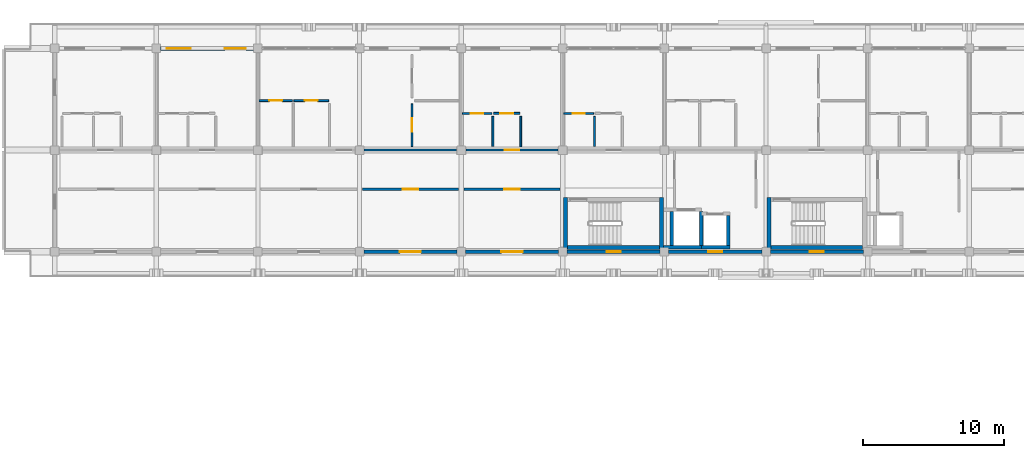
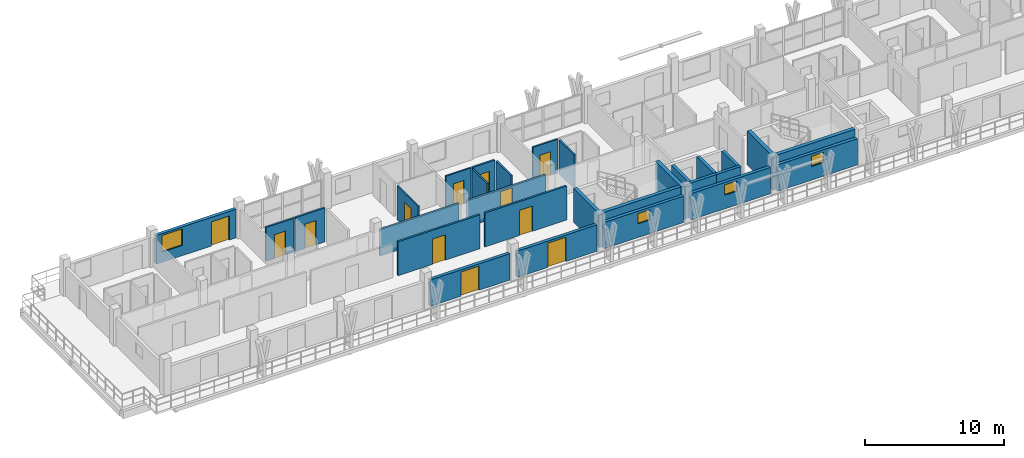
# One storey, part 39 of 73: 29 walls, 12 doors, 4 windows, 16 openings.
"""IFC4 building model written with IfcOpenShell, lengths in metres."""

from ifc_helpers import new_model, si_unit, direction, frame, frame_2d, origin, place, context, subcontext, project, spatial, rectangle, extrude, material, layer, layer_set, type_object, element, fill, save


model = new_model("IFC4")

# Units and contexts
model_context = context("Model", 3, precision=1e-05, world=origin(), true_north=direction((0.0, 1.0)))
body_context = subcontext(model_context, "Body", "Model", "MODEL_VIEW")
ifc_project = project(units=[si_unit("LENGTHUNIT", "METRE"), si_unit("AREAUNIT", "SQUARE_METRE"), si_unit("VOLUMEUNIT", "CUBIC_METRE"), si_unit("PLANEANGLEUNIT", "RADIAN"), si_unit("MASSUNIT", "GRAM", prefix="KILO")], contexts=[model_context])

# Site, building, storey
site_placement = place(None, origin())
site = spatial("IfcSite", under=ifc_project, at=site_placement, CompositionType="ELEMENT")
building_placement = place(site_placement, origin())
building = spatial("IfcBuilding", under=site, at=building_placement, Name="Suanplinth Sawtooth Commons", CompositionType="ELEMENT")
storey_placement = place(building_placement, frame((0.0, 0.0, 21.89990234375)))
storey = spatial("IfcBuildingStorey", under=building, at=storey_placement, Name="L06", CompositionType="ELEMENT", Elevation=21.89990234375)

# Walls
ifc_material_1 = material(Name="Concrete C40/50", Category="concrete")
ifc_layer_1 = layer(ifc_material_1, 0.300048828125, Name="Standard RC stair and lift core wall 300mm")
ifc_layer_set_1 = layer_set([ifc_layer_1], Name="Concrete C40/50")
wall_type_1 = type_object("IfcWallType", Name="W-CR02", PredefinedType="SHEAR", material=ifc_layer_set_1)
wall_1_placement = place(storey_placement, frame((43.550048828125, 108.300048828125, 0.0), z_axis=(0.0, 0.0, 1.0), x_axis=(1.0, 0.0, 0.0)))
element("IfcWall", 1, at=wall_1_placement, inside=storey, type_object=wall_type_1, Name="W-L06-C-A1-STS", PredefinedType="SHEAR", context=body_context, shape_type="SweptSolid", body=[
    extrude(rectangle(XDim=6.5, YDim=0.300048828125, at=frame_2d((3.25, 0.0))), origin(), (0.0, 0.0, 1.0), 2.97998046875),
])
for number, where, z_axis, x_axis, name in (
    (2, (43.39990234375, 108.14990234375, 0.0), (0.0, 0.0, 1.0), (0.0, 1.0, 0.0), "W-L06-C-A1-STW"),
    (3, (50.199951171875, 108.14990234375, 0.0), (0.0, 0.0, 1.0), (0.0, 1.0, 0.0), "W-L06-C-A1-STE"),
):
    element("IfcWall", number, at=place(storey_placement, frame(where, z_axis=z_axis, x_axis=x_axis)), inside=storey, type_object=wall_type_1, Name=name, PredefinedType="SHEAR", context=body_context, shape_type="SweptSolid", body=[
        extrude(rectangle(XDim=3.7001953125, YDim=0.300048828125, at=frame_2d((1.85009765625, 0.0))), origin(), (0.0, 0.0, 1.0), 2.97998046875),
    ])
wall_2_placement = place(storey_placement, frame((57.949951171875, 108.300048828125, 0.0), z_axis=(0.0, 0.0, 1.0), x_axis=(1.0, 0.0, 0.0)))
element("IfcWall", 4, at=wall_2_placement, inside=storey, type_object=wall_type_1, Name="W-L06-C-A2-STS", PredefinedType="SHEAR", context=body_context, shape_type="SweptSolid", body=[
    extrude(rectangle(XDim=6.5, YDim=0.300048828125, at=frame_2d((3.25, 0.0))), origin(), (0.0, 0.0, 1.0), 2.97998046875),
])
wall_3_placement = place(storey_placement, frame((57.800048828125, 108.14990234375, 0.0), z_axis=(0.0, 0.0, 1.0), x_axis=(0.0, 1.0, 0.0)))
element("IfcWall", 5, at=wall_3_placement, inside=storey, type_object=wall_type_1, Name="W-L06-C-A2-STW", PredefinedType="SHEAR", context=body_context, shape_type="SweptSolid", body=[
    extrude(rectangle(XDim=3.7001953125, YDim=0.300048828125, at=frame_2d((1.85009765625, 0.0))), origin(), (0.0, 0.0, 1.0), 2.97998046875),
])

# Wall, openings, door, window
ifc_material_2 = material(Name="Precast concrete C40/50", Category="concrete")
ifc_layer_2 = layer(ifc_material_2, 0.260009765625, Name="Insulated precast courtyard facade wall 260mm")
ifc_layer_set_2 = layer_set([ifc_layer_2], Name="Precast concrete C40/50")
wall_type_2 = type_object("IfcWallType", Name="W-EX02", PredefinedType="ELEMENTEDWALL", material=ifc_layer_set_2)
wall_4_placement = place(storey_placement, frame((14.699951171875, 122.39990234375, 0.0), z_axis=(0.0, 0.0, 1.0), x_axis=(1.0, 0.0, 0.0)))
wall_4 = element("IfcWall", 6, at=wall_4_placement, inside=storey, type_object=wall_type_2, Name="Facade Wall W-L06-A-N-1", PredefinedType="ELEMENTEDWALL", context=body_context, shape_type="SweptSolid", body=[
    extrude(rectangle(XDim=6.60009765625, YDim=0.260009765625, at=frame_2d((3.300048828125, 0.0))), origin(), (0.0, 0.0, 1.0), 2.51513671875),
])
opening_1_placement = place(wall_4_placement, frame((4.550048828125, 0.0, 0.0)))
opening_1 = element("IfcOpeningElement", 7, at=opening_1_placement, cuts=wall_4, Name="Opening ED0479", PredefinedType="OPENING", context=body_context, shape_type="SweptSolid", body=[
    extrude(rectangle(XDim=1.5, YDim=2.1201171875, at=frame_2d((0.75, 1.06005859375))), frame((0.0, 0.14501953125, 0.0), z_axis=(0.0, -1.0, 0.0), x_axis=(1.0, 0.0, 0.0)), (0.0, 0.0, 1.0), 0.289794921875),
])
opening_2_placement = place(wall_4_placement, frame((0.449951171875, 0.0, 0.89990234375)))
opening_2 = element("IfcOpeningElement", 8, at=opening_2_placement, cuts=wall_4, Name="Opening W0568", PredefinedType="OPENING", context=body_context, shape_type="SweptSolid", body=[
    extrude(rectangle(XDim=1.699951171875, YDim=1.449951171875, at=frame_2d((0.85009765625, 0.72509765625))), frame((0.0, 0.14501953125, 0.0), z_axis=(0.0, -1.0, 0.0), x_axis=(1.0, 0.0, 0.0)), (0.0, 0.0, 1.0), 0.289794921875),
])
ifc_material_3 = material(Name="Anodized aluminium and low-E glass", Category="aluminium")
door_type_1 = type_object("IfcDoorType", Name="SD-03", OperationType="SLIDING_TO_LEFT", PredefinedType="DOOR", material=ifc_material_3)
door_1_placement = place(opening_1_placement, frame((1.5, 0.0, 0.0), z_axis=(0.0, 0.0, 1.0), x_axis=(-1.0, 0.0, 0.0)))
door_1 = element("IfcDoor", 9, at=door_1_placement, inside=storey, type_object=door_type_1, Name="Balcony Sliding Door L06-A-N-1", OperationType="SLIDING_TO_LEFT", OverallHeight=2.1201171875, OverallWidth=1.5, PredefinedType="DOOR", context=body_context, shape_type="SweptSolid", body=[
    extrude(rectangle(XDim=1.5, YDim=2.1201171875, at=frame_2d((0.75, 1.06005859375))), frame((0.0, 0.02490234375, 0.0), z_axis=(0.0, -1.0, 0.0), x_axis=(1.0, 0.0, 0.0)), (0.0, 0.0, 1.0), 0.050048828125),
])
fill(opening_1, door_1)
ifc_material_4 = material(Name="Thermally broken aluminium and low-E double glazing", Category="aluminium")
window_type_1 = type_object("IfcWindowType", Name="WN-15", PartitioningType="DOUBLE_PANEL_VERTICAL", PredefinedType="WINDOW", material=ifc_material_4)
window_1_placement = place(opening_2_placement, origin())
window_1 = element("IfcWindow", 10, at=window_1_placement, inside=storey, type_object=window_type_1, Name="Window L06-A-N-1", OverallHeight=1.449951171875, OverallWidth=1.699951171875, PartitioningType="DOUBLE_PANEL_VERTICAL", PredefinedType="WINDOW", context=body_context, shape_type="SweptSolid", body=[
    extrude(rectangle(XDim=1.699951171875, YDim=1.449951171875, at=frame_2d((0.85009765625, 0.72509765625))), frame((0.0, 0.030029296875, 0.0), z_axis=(0.0, -1.0, 0.0), x_axis=(1.0, 0.0, 0.0)), (0.0, 0.0, 1.0), 0.06005859375),
])
fill(opening_2, window_1)

# Wall, opening, door
wall_5_placement = place(storey_placement, frame((29.10009765625, 108.0, 0.0), z_axis=(0.0, 0.0, 1.0), x_axis=(1.0, 0.0, 0.0)))
wall_5 = element("IfcWall", 11, at=wall_5_placement, inside=storey, type_object=wall_type_2, Name="Courtyard Wall W-L06-A-S-3", PredefinedType="ELEMENTEDWALL", context=body_context, shape_type="SweptSolid", body=[
    extrude(rectangle(XDim=6.599853515625, YDim=0.260009765625, at=frame_2d((3.2998046875, 0.0))), origin(), (0.0, 0.0, 1.0), 2.315185546875),
])
opening_3_placement = place(wall_5_placement, frame((2.550048828125, 0.0, 0.0)))
opening_3 = element("IfcOpeningElement", 12, at=opening_3_placement, cuts=wall_5, Name="Opening ED0483", PredefinedType="OPENING", context=body_context, shape_type="SweptSolid", body=[
    extrude(rectangle(XDim=1.5, YDim=2.1201171875, at=frame_2d((0.75, 1.06005859375))), frame((0.0, 0.14501953125, 0.0), z_axis=(0.0, -1.0, 0.0), x_axis=(1.0, 0.0, 0.0)), (0.0, 0.0, 1.0), 0.289794921875),
])
door_2_placement = place(opening_3_placement, frame((1.5, 0.0, 0.0), z_axis=(0.0, 0.0, 1.0), x_axis=(-1.0, 0.0, 0.0)))
door_2 = element("IfcDoor", 13, at=door_2_placement, inside=storey, type_object=door_type_1, Name="Courtyard Balcony Sliding Door L06-A-S-3", OperationType="SLIDING_TO_LEFT", OverallHeight=2.1201171875, OverallWidth=1.5, PredefinedType="DOOR", context=body_context, shape_type="SweptSolid", body=[
    extrude(rectangle(XDim=1.5, YDim=2.1201171875, at=frame_2d((0.75, 1.06005859375))), frame((0.0, 0.02490234375, 0.0), z_axis=(0.0, -1.0, 0.0), x_axis=(1.0, 0.0, 0.0)), (0.0, 0.0, 1.0), 0.050048828125),
])
fill(opening_3, door_2)

wall_6_placement = place(storey_placement, frame((36.300048828125, 108.0, 0.0), z_axis=(0.0, 0.0, 1.0), x_axis=(1.0, 0.0, 0.0)))
wall_6 = element("IfcWall", 14, at=wall_6_placement, inside=storey, type_object=wall_type_2, Name="Courtyard Wall W-L06-A-S-4", PredefinedType="ELEMENTEDWALL", context=body_context, shape_type="SweptSolid", body=[
    extrude(rectangle(XDim=6.599853515625, YDim=0.260009765625, at=frame_2d((3.2998046875, 0.0))), origin(), (0.0, 0.0, 1.0), 2.315185546875),
])
opening_4_placement = place(wall_6_placement, frame((2.550048828125, 0.0, 0.0)))
opening_4 = element("IfcOpeningElement", 15, at=opening_4_placement, cuts=wall_6, Name="Opening ED0485", PredefinedType="OPENING", context=body_context, shape_type="SweptSolid", body=[
    extrude(rectangle(XDim=1.5, YDim=2.1201171875, at=frame_2d((0.75, 1.06005859375))), frame((0.0, 0.14501953125, 0.0), z_axis=(0.0, -1.0, 0.0), x_axis=(1.0, 0.0, 0.0)), (0.0, 0.0, 1.0), 0.289794921875),
])
door_3_placement = place(opening_4_placement, frame((1.5, 0.0, 0.0), z_axis=(0.0, 0.0, 1.0), x_axis=(-1.0, 0.0, 0.0)))
door_3 = element("IfcDoor", 16, at=door_3_placement, inside=storey, type_object=door_type_1, Name="Courtyard Balcony Sliding Door L06-A-S-4", OperationType="SLIDING_TO_LEFT", OverallHeight=2.1201171875, OverallWidth=1.5, PredefinedType="DOOR", context=body_context, shape_type="SweptSolid", body=[
    extrude(rectangle(XDim=1.5, YDim=2.1201171875, at=frame_2d((0.75, 1.06005859375))), frame((0.0, 0.02490234375, 0.0), z_axis=(0.0, -1.0, 0.0), x_axis=(1.0, 0.0, 0.0)), (0.0, 0.0, 1.0), 0.050048828125),
])
fill(opening_4, door_3)

# Wall, opening, window
wall_7_placement = place(storey_placement, frame((43.5, 108.0, 0.0), z_axis=(0.0, 0.0, 1.0), x_axis=(1.0, 0.0, 0.0)))
wall_7 = element("IfcWall", 17, at=wall_7_placement, inside=storey, type_object=wall_type_2, Name="Courtyard Wall W-L06-A-S-5", PredefinedType="ELEMENTEDWALL", context=body_context, shape_type="SweptSolid", body=[
    extrude(rectangle(XDim=6.60009765625, YDim=0.260009765625, at=frame_2d((3.300048828125, 0.0))), origin(), (0.0, 0.0, 1.0), 2.315185546875),
])
opening_5_placement = place(wall_7_placement, frame((2.800048828125, 0.0, 1.199951171875)))
opening_5 = element("IfcOpeningElement", 18, at=opening_5_placement, cuts=wall_7, Name="Opening W0571", PredefinedType="OPENING", context=body_context, shape_type="SweptSolid", body=[
    extrude(rectangle(XDim=1.0, YDim=0.89990234375, at=frame_2d((0.5, 0.449951171875))), frame((0.0, 0.14501953125, 0.0), z_axis=(0.0, -1.0, 0.0), x_axis=(1.0, 0.0, 0.0)), (0.0, 0.0, 1.0), 0.289794921875),
])
window_type_2 = type_object("IfcWindowType", Name="WN-12", PartitioningType="SINGLE_PANEL", PredefinedType="WINDOW", material=ifc_material_4)
window_2_placement = place(opening_5_placement, origin())
window_2 = element("IfcWindow", 19, at=window_2_placement, inside=storey, type_object=window_type_2, Name="Core Daylight Window L06-A-5", OverallHeight=0.89990234375, OverallWidth=1.0, PartitioningType="SINGLE_PANEL", PredefinedType="WINDOW", context=body_context, shape_type="SweptSolid", body=[
    extrude(rectangle(XDim=1.0, YDim=0.89990234375, at=frame_2d((0.5, 0.449951171875))), frame((0.0, 0.030029296875, 0.0), z_axis=(0.0, -1.0, 0.0), x_axis=(1.0, 0.0, 0.0)), (0.0, 0.0, 1.0), 0.06005859375),
])
fill(opening_5, window_2)

wall_8_placement = place(storey_placement, frame((50.699951171875, 108.0, 0.0), z_axis=(0.0, 0.0, 1.0), x_axis=(1.0, 0.0, 0.0)))
wall_8 = element("IfcWall", 20, at=wall_8_placement, inside=storey, type_object=wall_type_2, Name="Courtyard Wall W-L06-A-S-6", PredefinedType="ELEMENTEDWALL", context=body_context, shape_type="SweptSolid", body=[
    extrude(rectangle(XDim=6.60009765625, YDim=0.260009765625, at=frame_2d((3.300048828125, 0.0))), origin(), (0.0, 0.0, 1.0), 2.315185546875),
])
opening_6_placement = place(wall_8_placement, frame((2.800048828125, 0.0, 1.199951171875)))
opening_6 = element("IfcOpeningElement", 21, at=opening_6_placement, cuts=wall_8, Name="Opening W0573", PredefinedType="OPENING", context=body_context, shape_type="SweptSolid", body=[
    extrude(rectangle(XDim=1.0, YDim=0.89990234375, at=frame_2d((0.5, 0.449951171875))), frame((0.0, 0.14501953125, 0.0), z_axis=(0.0, -1.0, 0.0), x_axis=(1.0, 0.0, 0.0)), (0.0, 0.0, 1.0), 0.289794921875),
])
window_3_placement = place(opening_6_placement, origin())
window_3 = element("IfcWindow", 22, at=window_3_placement, inside=storey, type_object=window_type_2, Name="Core Daylight Window L06-A-6", OverallHeight=0.89990234375, OverallWidth=1.0, PartitioningType="SINGLE_PANEL", PredefinedType="WINDOW", context=body_context, shape_type="SweptSolid", body=[
    extrude(rectangle(XDim=1.0, YDim=0.89990234375, at=frame_2d((0.5, 0.449951171875))), frame((0.0, 0.030029296875, 0.0), z_axis=(0.0, -1.0, 0.0), x_axis=(1.0, 0.0, 0.0)), (0.0, 0.0, 1.0), 0.06005859375),
])
fill(opening_6, window_3)

wall_9_placement = place(storey_placement, frame((57.89990234375, 108.0, 0.0), z_axis=(0.0, 0.0, 1.0), x_axis=(1.0, 0.0, 0.0)))
wall_9 = element("IfcWall", 23, at=wall_9_placement, inside=storey, type_object=wall_type_2, Name="Courtyard Wall W-L06-A-S-7", PredefinedType="ELEMENTEDWALL", context=body_context, shape_type="SweptSolid", body=[
    extrude(rectangle(XDim=6.60009765625, YDim=0.260009765625, at=frame_2d((3.300048828125, 0.0))), origin(), (0.0, 0.0, 1.0), 2.315185546875),
])
opening_7_placement = place(wall_9_placement, frame((2.800048828125, 0.0, 1.199951171875)))
opening_7 = element("IfcOpeningElement", 24, at=opening_7_placement, cuts=wall_9, Name="Opening W0575", PredefinedType="OPENING", context=body_context, shape_type="SweptSolid", body=[
    extrude(rectangle(XDim=1.0, YDim=0.89990234375, at=frame_2d((0.5, 0.449951171875))), frame((0.0, 0.14501953125, 0.0), z_axis=(0.0, -1.0, 0.0), x_axis=(1.0, 0.0, 0.0)), (0.0, 0.0, 1.0), 0.289794921875),
])
window_4_placement = place(opening_7_placement, origin())
window_4 = element("IfcWindow", 25, at=window_4_placement, inside=storey, type_object=window_type_2, Name="Core Daylight Window L06-A-7", OverallHeight=0.89990234375, OverallWidth=1.0, PartitioningType="SINGLE_PANEL", PredefinedType="WINDOW", context=body_context, shape_type="SweptSolid", body=[
    extrude(rectangle(XDim=1.0, YDim=0.89990234375, at=frame_2d((0.5, 0.449951171875))), frame((0.0, 0.030029296875, 0.0), z_axis=(0.0, -1.0, 0.0), x_axis=(1.0, 0.0, 0.0)), (0.0, 0.0, 1.0), 0.06005859375),
])
fill(opening_7, window_4)

# Wall
ifc_layer_3 = layer(ifc_material_2, 0.159912109375, Name="Fire-rated corridor and lobby wall 160mm")
ifc_layer_set_3 = layer_set([ifc_layer_3], Name="Precast concrete C40/50")
wall_type_3 = type_object("IfcWallType", Name="W-FW01", PredefinedType="PARTITIONING", material=ifc_layer_set_3)
wall_10_placement = place(storey_placement, frame((29.1298828125, 115.199951171875, 0.0), z_axis=(0.0, 0.0, 1.0), x_axis=(1.0, 0.0, 0.0)))
element("IfcWall", 26, at=wall_10_placement, inside=storey, type_object=wall_type_3, Name="W-A-L06-U03-COR-S2", PredefinedType="PARTITIONING", context=body_context, shape_type="SweptSolid", body=[
    extrude(rectangle(XDim=6.5400390625, YDim=0.159912109375, at=frame_2d((3.27001953125, 0.0))), origin(), (0.0, 0.0, 1.0), 2.315185546875),
])

# Wall, opening, door
wall_11_placement = place(storey_placement, frame((36.330078125, 115.199951171875, 0.0), z_axis=(0.0, 0.0, 1.0), x_axis=(1.0, 0.0, 0.0)))
wall_11 = element("IfcWall", 27, at=wall_11_placement, inside=storey, type_object=wall_type_3, Name="W-A-L06-U04-COR", PredefinedType="PARTITIONING", context=body_context, shape_type="SweptSolid", body=[
    extrude(rectangle(XDim=6.5400390625, YDim=0.159912109375, at=frame_2d((3.27001953125, 0.0))), origin(), (0.0, 0.0, 1.0), 2.315185546875),
])
opening_8_placement = place(wall_11_placement, frame((2.77001953125, 0.0, 0.0)))
opening_8 = element("IfcOpeningElement", 28, at=opening_8_placement, cuts=wall_11, Name="Opening FD1366", PredefinedType="OPENING", context=body_context, shape_type="SweptSolid", body=[
    extrude(rectangle(XDim=1.0, YDim=2.14990234375, at=frame_2d((0.5, 1.074951171875))), frame((0.0, 0.0947265625, 0.0), z_axis=(0.0, -1.0, 0.0), x_axis=(1.0, 0.0, 0.0)), (0.0, 0.0, 1.0), 0.189697265625),
])
ifc_material_5 = material(Name="Teak hardwood fire-rated door assembly", Category="wood")
door_type_2 = type_object("IfcDoorType", Name="FD-03", OperationType="NOTDEFINED", PredefinedType="DOOR", material=ifc_material_5)
door_4_placement = place(opening_8_placement, origin())
door_4 = element("IfcDoor", 29, at=door_4_placement, inside=storey, type_object=door_type_2, Name="Unit Entrance Door FD1366", OperationType="SINGLE_SWING_RIGHT", OverallHeight=2.14990234375, OverallWidth=1.0, PredefinedType="DOOR", context=body_context, shape_type="SweptSolid", body=[
    extrude(rectangle(XDim=1.0, YDim=2.14990234375, at=frame_2d((0.5, 1.074951171875))), frame((0.0, 0.02490234375, 0.0), z_axis=(0.0, -1.0, 0.0), x_axis=(1.0, 0.0, 0.0)), (0.0, 0.0, 1.0), 0.050048828125),
])
fill(opening_8, door_4)

wall_12_placement = place(storey_placement, frame((29.0, 112.419921875, 0.0), z_axis=(0.0, 0.0, 1.0), x_axis=(1.0, 0.0, 0.0)))
wall_12 = element("IfcWall", 30, at=wall_12_placement, inside=storey, type_object=wall_type_3, Name="W-A-L06-COURTROOM-14-COR", PredefinedType="PARTITIONING", context=body_context, shape_type="SweptSolid", body=[
    extrude(rectangle(XDim=6.800048828125, YDim=0.159912109375, at=frame_2d((3.39990234375, 0.0))), origin(), (0.0, 0.0, 1.0), 2.97998046875),
])
opening_9_placement = place(wall_12_placement, frame((2.860107421875, 0.0, 0.0)))
opening_9 = element("IfcOpeningElement", 31, at=opening_9_placement, cuts=wall_12, Name="Opening D1397", PredefinedType="OPENING", context=body_context, shape_type="SweptSolid", body=[
    extrude(rectangle(XDim=1.080078125, YDim=2.219970703125, at=frame_2d((0.5400390625, 1.10986328125))), frame((0.0, 0.0947265625, 0.0), z_axis=(0.0, -1.0, 0.0), x_axis=(1.0, 0.0, 0.0)), (0.0, 0.0, 1.0), 0.189697265625),
])
ifc_material_6 = material(Name="Teak hardwood", Category="wood")
door_type_3 = type_object("IfcDoorType", Name="D-17", OperationType="NOTDEFINED", PredefinedType="DOOR", material=ifc_material_6)
door_5_placement = place(opening_9_placement, frame((1.080078125, 0.0, 0.0), z_axis=(0.0, 0.0, 1.0), x_axis=(-1.0, 0.0, 0.0)))
door_5 = element("IfcDoor", 32, at=door_5_placement, inside=storey, type_object=door_type_3, Name="Study Studio Door D1397", OperationType="SINGLE_SWING_LEFT", OverallHeight=2.219970703125, OverallWidth=1.080078125, PredefinedType="DOOR", context=body_context, shape_type="SweptSolid", body=[
    extrude(rectangle(XDim=1.080078125, YDim=2.219970703125, at=frame_2d((0.5400390625, 1.10986328125))), frame((0.0, 0.02490234375, 0.0), z_axis=(0.0, -1.0, 0.0), x_axis=(1.0, 0.0, 0.0)), (0.0, 0.0, 1.0), 0.050048828125),
])
fill(opening_9, door_5)

wall_13_placement = place(storey_placement, frame((36.199951171875, 112.419921875, 0.0), z_axis=(0.0, 0.0, 1.0), x_axis=(1.0, 0.0, 0.0)))
wall_13 = element("IfcWall", 33, at=wall_13_placement, inside=storey, type_object=wall_type_3, Name="W-A-L06-COURTROOM-15-COR", PredefinedType="PARTITIONING", context=body_context, shape_type="SweptSolid", body=[
    extrude(rectangle(XDim=6.800048828125, YDim=0.159912109375, at=frame_2d((3.39990234375, 0.0))), origin(), (0.0, 0.0, 1.0), 2.97998046875),
])
opening_10_placement = place(wall_13_placement, frame((2.860107421875, 0.0, 0.0)))
opening_10 = element("IfcOpeningElement", 34, at=opening_10_placement, cuts=wall_13, Name="Opening D1398", PredefinedType="OPENING", context=body_context, shape_type="SweptSolid", body=[
    extrude(rectangle(XDim=1.080078125, YDim=2.219970703125, at=frame_2d((0.5400390625, 1.10986328125))), frame((0.0, 0.0947265625, 0.0), z_axis=(0.0, -1.0, 0.0), x_axis=(1.0, 0.0, 0.0)), (0.0, 0.0, 1.0), 0.189697265625),
])
door_6_placement = place(opening_10_placement, frame((1.080078125, 0.0, 0.0), z_axis=(0.0, 0.0, 1.0), x_axis=(-1.0, 0.0, 0.0)))
door_6 = element("IfcDoor", 35, at=door_6_placement, inside=storey, type_object=door_type_3, Name="Study Studio Door D1398", OperationType="SINGLE_SWING_RIGHT", OverallHeight=2.219970703125, OverallWidth=1.080078125, PredefinedType="DOOR", context=body_context, shape_type="SweptSolid", body=[
    extrude(rectangle(XDim=1.080078125, YDim=2.219970703125, at=frame_2d((0.5400390625, 1.10986328125))), frame((0.0, 0.02490234375, 0.0), z_axis=(0.0, -1.0, 0.0), x_axis=(1.0, 0.0, 0.0)), (0.0, 0.0, 1.0), 0.050048828125),
])
fill(opening_10, door_6)

ifc_material_7 = material(Name="Gypsum plasterboard on steel stud", Category="steel")
ifc_layer_4 = layer(ifc_material_7, 0.139892578125, Name="Fire-rated kitchen partition 140mm")
ifc_layer_set_4 = layer_set([ifc_layer_4], Name="Gypsum plasterboard on steel stud")
wall_type_4 = type_object("IfcWallType", Name="W-PT01", PredefinedType="PARTITIONING", material=ifc_layer_set_4)
wall_14_placement = place(storey_placement, frame((24.14990234375, 118.7099609375, 0.0), z_axis=(0.0, 0.0, 1.0), x_axis=(1.0, 0.0, 0.0)))
wall_14 = element("IfcWall", 36, at=wall_14_placement, inside=storey, type_object=wall_type_4, Name="W-A-L06-U03-KIT1", PredefinedType="PARTITIONING", context=body_context, shape_type="SweptSolid", body=[
    extrude(rectangle(XDim=2.4501953125, YDim=0.139892578125, at=frame_2d((1.22509765625, 0.0))), origin(), (0.0, 0.0, 1.0), 2.97998046875),
])
opening_11_placement = place(wall_14_placement, frame((0.760009765625, 0.0, 0.0)))
opening_11 = element("IfcOpeningElement", 37, at=opening_11_placement, cuts=wall_14, Name="Opening D1363", PredefinedType="OPENING", context=body_context, shape_type="SweptSolid", body=[
    extrude(rectangle(XDim=0.929931640625, YDim=2.139892578125, at=frame_2d((0.46484375, 1.06982421875))), frame((0.0, 0.0849609375, 0.0), z_axis=(0.0, -1.0, 0.0), x_axis=(1.0, 0.0, 0.0)), (0.0, 0.0, 1.0), 0.169677734375),
])
door_type_4 = type_object("IfcDoorType", Name="D-19", OperationType="NOTDEFINED", PredefinedType="DOOR", material=ifc_material_6)
door_7_placement = place(opening_11_placement, frame((0.929931640625, 0.0, 0.0), z_axis=(0.0, 0.0, 1.0), x_axis=(-1.0, 0.0, 0.0)))
door_7 = element("IfcDoor", 38, at=door_7_placement, inside=storey, type_object=door_type_4, Name="Kitchen Door D1363", OperationType="SINGLE_SWING_LEFT", OverallHeight=2.139892578125, OverallWidth=0.929931640625, PredefinedType="DOOR", context=body_context, shape_type="SweptSolid", body=[
    extrude(rectangle(XDim=0.929931640625, YDim=2.139892578125, at=frame_2d((0.46484375, 1.06982421875))), frame((0.0, 0.02490234375, 0.0), z_axis=(0.0, -1.0, 0.0), x_axis=(1.0, 0.0, 0.0)), (0.0, 0.0, 1.0), 0.050048828125),
])
fill(opening_11, door_7)

wall_15_placement = place(storey_placement, frame((38.300048828125, 117.800048828125, 0.0), z_axis=(0.0, 0.0, 1.0), x_axis=(1.0, 0.0, 0.0)))
wall_15 = element("IfcWall", 39, at=wall_15_placement, inside=storey, type_object=wall_type_4, Name="W-A-L06-U04-KIT1", PredefinedType="PARTITIONING", context=body_context, shape_type="SweptSolid", body=[
    extrude(rectangle(XDim=1.849853515625, YDim=0.139892578125, at=frame_2d((0.9248046875, 0.0))), origin(), (0.0, 0.0, 1.0), 2.97998046875),
])
opening_12_placement = place(wall_15_placement, frame((0.4599609375, 0.0, 0.0)))
opening_12 = element("IfcOpeningElement", 40, at=opening_12_placement, cuts=wall_15, Name="Opening D1368", PredefinedType="OPENING", context=body_context, shape_type="SweptSolid", body=[
    extrude(rectangle(XDim=0.929931640625, YDim=2.139892578125, at=frame_2d((0.46484375, 1.06982421875))), frame((0.0, 0.0849609375, 0.0), z_axis=(0.0, -1.0, 0.0), x_axis=(1.0, 0.0, 0.0)), (0.0, 0.0, 1.0), 0.169677734375),
])
door_8_placement = place(opening_12_placement, frame((0.929931640625, 0.0, 0.0), z_axis=(0.0, 0.0, 1.0), x_axis=(-1.0, 0.0, 0.0)))
door_8 = element("IfcDoor", 41, at=door_8_placement, inside=storey, type_object=door_type_4, Name="Kitchen Door D1368", OperationType="SINGLE_SWING_RIGHT", OverallHeight=2.139892578125, OverallWidth=0.929931640625, PredefinedType="DOOR", context=body_context, shape_type="SweptSolid", body=[
    extrude(rectangle(XDim=0.929931640625, YDim=2.139892578125, at=frame_2d((0.46484375, 1.06982421875))), frame((0.0, 0.02490234375, 0.0), z_axis=(0.0, -1.0, 0.0), x_axis=(1.0, 0.0, 0.0)), (0.0, 0.0, 1.0), 0.050048828125),
])
fill(opening_12, door_8)

# Wall
wall_16_placement = place(storey_placement, frame((40.219970703125, 115.429931640625, 0.0), z_axis=(0.0, 0.0, 1.0), x_axis=(0.0, 1.0, 0.0)))
element("IfcWall", 42, at=wall_16_placement, inside=storey, type_object=wall_type_4, Name="W-A-L06-U04-KIT2", PredefinedType="PARTITIONING", context=body_context, shape_type="SweptSolid", body=[
    extrude(rectangle(XDim=2.150146484375, YDim=0.139892578125, at=frame_2d((1.0751953125, 0.0))), origin(), (0.0, 0.0, 1.0), 2.97998046875),
])

# Wall, opening, door
ifc_layer_5 = layer(ifc_material_7, 0.1298828125, Name="Moisture-resistant bathroom partition 130mm")
ifc_layer_set_5 = layer_set([ifc_layer_5], Name="Gypsum plasterboard on steel stud")
wall_type_5 = type_object("IfcWallType", Name="W-PT02", PredefinedType="PARTITIONING", material=ifc_layer_set_5)
wall_17_placement = place(storey_placement, frame((21.679931640625, 118.705078125, 0.0), z_axis=(0.0, 0.0, 1.0), x_axis=(1.0, 0.0, 0.0)))
wall_17 = element("IfcWall", 43, at=wall_17_placement, inside=storey, type_object=wall_type_5, Name="W-A-L06-U03-BTH1", PredefinedType="PARTITIONING", context=body_context, shape_type="SweptSolid", body=[
    extrude(rectangle(XDim=2.35009765625, YDim=0.1298828125, at=frame_2d((1.175048828125, 0.0))), origin(), (0.0, 0.0, 1.0), 2.97998046875),
])
opening_13_placement = place(wall_17_placement, frame((0.72509765625, 0.0, 0.0)))
opening_13 = element("IfcOpeningElement", 44, at=opening_13_placement, cuts=wall_17, Name="Opening D1362", PredefinedType="OPENING", context=body_context, shape_type="SweptSolid", body=[
    extrude(rectangle(XDim=0.89990234375, YDim=2.10009765625, at=frame_2d((0.449951171875, 1.050048828125))), frame((0.0, 0.079833984375, 0.0), z_axis=(0.0, -1.0, 0.0), x_axis=(1.0, 0.0, 0.0)), (0.0, 0.0, 1.0), 0.15966796875),
])
door_type_5 = type_object("IfcDoorType", Name="D-01", OperationType="NOTDEFINED", PredefinedType="DOOR", material=ifc_material_6)
door_9_placement = place(opening_13_placement, frame((0.89990234375, 0.0, 0.0), z_axis=(0.0, 0.0, 1.0), x_axis=(-1.0, 0.0, 0.0)))
door_9 = element("IfcDoor", 45, at=door_9_placement, inside=storey, type_object=door_type_5, Name="Bathroom Door D1362", OperationType="SINGLE_SWING_RIGHT", OverallHeight=2.10009765625, OverallWidth=0.89990234375, PredefinedType="DOOR", context=body_context, shape_type="SweptSolid", body=[
    extrude(rectangle(XDim=0.89990234375, YDim=2.10009765625, at=frame_2d((0.449951171875, 1.050048828125))), frame((0.0, 0.02490234375, 0.0), z_axis=(0.0, -1.0, 0.0), x_axis=(1.0, 0.0, 0.0)), (0.0, 0.0, 1.0), 0.050048828125),
])
fill(opening_13, door_9)

wall_18_placement = place(storey_placement, frame((36.080078125, 117.794921875, 0.0), z_axis=(0.0, 0.0, 1.0), x_axis=(1.0, 0.0, 0.0)))
wall_18 = element("IfcWall", 46, at=wall_18_placement, inside=storey, type_object=wall_type_5, Name="W-A-L06-U04-BTH1", PredefinedType="PARTITIONING", context=body_context, shape_type="SweptSolid", body=[
    extrude(rectangle(XDim=2.099853515625, YDim=0.1298828125, at=frame_2d((1.0498046875, 0.0))), origin(), (0.0, 0.0, 1.0), 2.97998046875),
])
opening_14_placement = place(wall_18_placement, frame((0.610107421875, 0.0, 0.0)))
opening_14 = element("IfcOpeningElement", 47, at=opening_14_placement, cuts=wall_18, Name="Opening D1367", PredefinedType="OPENING", context=body_context, shape_type="SweptSolid", body=[
    extrude(rectangle(XDim=0.8798828125, YDim=2.10009765625, at=frame_2d((0.43994140625, 1.050048828125))), frame((0.0, 0.079833984375, 0.0), z_axis=(0.0, -1.0, 0.0), x_axis=(1.0, 0.0, 0.0)), (0.0, 0.0, 1.0), 0.15966796875),
])
door_type_6 = type_object("IfcDoorType", Name="D-14", OperationType="NOTDEFINED", PredefinedType="DOOR", material=ifc_material_6)
door_10_placement = place(opening_14_placement, frame((0.8798828125, 0.0, 0.0), z_axis=(0.0, 0.0, 1.0), x_axis=(-1.0, 0.0, 0.0)))
door_10 = element("IfcDoor", 48, at=door_10_placement, inside=storey, type_object=door_type_6, Name="Bathroom Door D1367", OperationType="SINGLE_SWING_LEFT", OverallHeight=2.10009765625, OverallWidth=0.8798828125, PredefinedType="DOOR", context=body_context, shape_type="SweptSolid", body=[
    extrude(rectangle(XDim=0.8798828125, YDim=2.10009765625, at=frame_2d((0.43994140625, 1.050048828125))), frame((0.0, 0.02490234375, 0.0), z_axis=(0.0, -1.0, 0.0), x_axis=(1.0, 0.0, 0.0)), (0.0, 0.0, 1.0), 0.050048828125),
])
fill(opening_14, door_10)

# Wall
wall_19_placement = place(storey_placement, frame((38.2451171875, 115.4599609375, 0.0), z_axis=(0.0, 0.0, 1.0), x_axis=(0.0, 1.0, 0.0)))
element("IfcWall", 49, at=wall_19_placement, inside=storey, type_object=wall_type_5, Name="W-A-L06-U04-BTH2", PredefinedType="PARTITIONING", context=body_context, shape_type="SweptSolid", body=[
    extrude(rectangle(XDim=2.130126953125, YDim=0.1298828125, at=frame_2d((1.06494140625, 0.0))), origin(), (0.0, 0.0, 1.0), 2.97998046875),
])

# Wall, opening, door
wall_20_placement = place(storey_placement, frame((43.280029296875, 117.794921875, 0.0), z_axis=(0.0, 0.0, 1.0), x_axis=(1.0, 0.0, 0.0)))
wall_20 = element("IfcWall", 50, at=wall_20_placement, inside=storey, type_object=wall_type_5, Name="W-A-L06-U05-BTH1", PredefinedType="PARTITIONING", context=body_context, shape_type="SweptSolid", body=[
    extrude(rectangle(XDim=2.099853515625, YDim=0.1298828125, at=frame_2d((1.0498046875, 0.0))), origin(), (0.0, 0.0, 1.0), 2.97998046875),
])
opening_15_placement = place(wall_20_placement, frame((0.610107421875, 0.0, 0.0)))
opening_15 = element("IfcOpeningElement", 51, at=opening_15_placement, cuts=wall_20, Name="Opening D1370", PredefinedType="OPENING", context=body_context, shape_type="SweptSolid", body=[
    extrude(rectangle(XDim=0.8798828125, YDim=2.10009765625, at=frame_2d((0.43994140625, 1.050048828125))), frame((0.0, 0.079833984375, 0.0), z_axis=(0.0, -1.0, 0.0), x_axis=(1.0, 0.0, 0.0)), (0.0, 0.0, 1.0), 0.15966796875),
])
door_11_placement = place(opening_15_placement, frame((0.8798828125, 0.0, 0.0), z_axis=(0.0, 0.0, 1.0), x_axis=(-1.0, 0.0, 0.0)))
door_11 = element("IfcDoor", 52, at=door_11_placement, inside=storey, type_object=door_type_6, Name="Bathroom Door D1370", OperationType="SINGLE_SWING_RIGHT", OverallHeight=2.10009765625, OverallWidth=0.8798828125, PredefinedType="DOOR", context=body_context, shape_type="SweptSolid", body=[
    extrude(rectangle(XDim=0.8798828125, YDim=2.10009765625, at=frame_2d((0.43994140625, 1.050048828125))), frame((0.0, 0.02490234375, 0.0), z_axis=(0.0, -1.0, 0.0), x_axis=(1.0, 0.0, 0.0)), (0.0, 0.0, 1.0), 0.050048828125),
])
fill(opening_15, door_11)

# Wall
wall_21_placement = place(storey_placement, frame((45.445068359375, 115.4599609375, 0.0), z_axis=(0.0, 0.0, 1.0), x_axis=(0.0, 1.0, 0.0)))
element("IfcWall", 53, at=wall_21_placement, inside=storey, type_object=wall_type_5, Name="W-A-L06-U05-BTH2", PredefinedType="PARTITIONING", context=body_context, shape_type="SweptSolid", body=[
    extrude(rectangle(XDim=2.130126953125, YDim=0.1298828125, at=frame_2d((1.06494140625, 0.0))), origin(), (0.0, 0.0, 1.0), 2.97998046875),
])

# Wall, opening, door
ifc_layer_6 = layer(ifc_material_7, 0.1201171875, Name="Acoustic bedroom partition 120mm")
ifc_layer_set_6 = layer_set([ifc_layer_6], Name="Gypsum plasterboard on steel stud")
wall_type_6 = type_object("IfcWallType", Name="W-PT03", PredefinedType="PARTITIONING", material=ifc_layer_set_6)
wall_22_placement = place(storey_placement, frame((32.52001953125, 115.43994140625, 0.0), z_axis=(0.0, 0.0, 1.0), x_axis=(0.0, 1.0, 0.0)))
wall_22 = element("IfcWall", 54, at=wall_22_placement, inside=storey, type_object=wall_type_6, Name="W-A-L06-U03-BED2", PredefinedType="PARTITIONING", context=body_context, shape_type="SweptSolid", body=[
    extrude(rectangle(XDim=3.0400390625, YDim=0.1201171875, at=frame_2d((1.52001953125, 0.0))), origin(), (0.0, 0.0, 1.0), 2.97998046875),
])
opening_16_placement = place(wall_22_placement, frame((1.0400390625, 0.0, 0.0)))
opening_16 = element("IfcOpeningElement", 55, at=opening_16_placement, cuts=wall_22, Name="Opening D1365", PredefinedType="OPENING", context=body_context, shape_type="SweptSolid", body=[
    extrude(rectangle(XDim=0.9599609375, YDim=2.14990234375, at=frame_2d((0.47998046875, 1.074951171875))), frame((0.0, 0.074951171875, 0.0), z_axis=(0.0, -1.0, 0.0), x_axis=(1.0, 0.0, 0.0)), (0.0, 0.0, 1.0), 0.14990234375),
])
door_type_7 = type_object("IfcDoorType", Name="D-13", OperationType="NOTDEFINED", PredefinedType="DOOR", material=ifc_material_6)
door_12_placement = place(opening_16_placement, frame((0.9599609375, 0.0, 0.0), z_axis=(0.0, 0.0, 1.0), x_axis=(-1.0, 0.0, 0.0)))
door_12 = element("IfcDoor", 56, at=door_12_placement, inside=storey, type_object=door_type_7, Name="Second Bedroom Door D1365", OperationType="SINGLE_SWING_LEFT", OverallHeight=2.14990234375, OverallWidth=0.9599609375, PredefinedType="DOOR", context=body_context, shape_type="SweptSolid", body=[
    extrude(rectangle(XDim=0.9599609375, YDim=2.14990234375, at=frame_2d((0.47998046875, 1.074951171875))), frame((0.0, 0.02490234375, 0.0), z_axis=(0.0, -1.0, 0.0), x_axis=(1.0, 0.0, 0.0)), (0.0, 0.0, 1.0), 0.050048828125),
])
fill(opening_16, door_12)

# Walls
ifc_layer_7 = layer(ifc_material_2, 0.25, Name="Precast structural shear wall 250mm")
ifc_layer_set_7 = layer_set([ifc_layer_7], Name="Precast concrete C40/50")
wall_type_7 = type_object("IfcWallType", Name="W-SH01", PredefinedType="SHEAR", material=ifc_layer_set_7)
wall_23_placement = place(storey_placement, frame((50.35009765625, 108.324951171875, 0.0), z_axis=(0.0, 0.0, 1.0), x_axis=(1.0, 0.0, 0.0)))
element("IfcWall", 57, at=wall_23_placement, inside=storey, type_object=wall_type_7, Name="W-L06-FL1-S", PredefinedType="SHEAR", context=body_context, shape_type="SweptSolid", body=[
    extrude(rectangle(XDim=2.6748046875, YDim=0.25, at=frame_2d((1.33740234375, 0.0))), origin(), (0.0, 0.0, 1.0), 2.97998046875),
])
for number, where, z_axis, x_axis, name in (
    (58, (50.925048828125, 108.449951171875, 0.0), (0.0, 0.0, 1.0), (0.0, 1.0, 0.0), "W-L06-FL1-W"),
    (59, (53.02490234375, 108.449951171875, 0.0), (0.0, 0.0, 1.0), (0.0, 1.0, 0.0), "W-L06-FL1-DIV"),
):
    element("IfcWall", number, at=place(storey_placement, frame(where, z_axis=z_axis, x_axis=x_axis)), inside=storey, type_object=wall_type_7, Name=name, PredefinedType="SHEAR", context=body_context, shape_type="SweptSolid", body=[
        extrude(rectangle(XDim=2.400146484375, YDim=0.25, at=frame_2d((1.2001953125, 0.0))), origin(), (0.0, 0.0, 1.0), 2.97998046875),
    ])
wall_24_placement = place(storey_placement, frame((53.02490234375, 108.324951171875, 0.0), z_axis=(0.0, 0.0, 1.0), x_axis=(1.0, 0.0, 0.0)))
element("IfcWall", 60, at=wall_24_placement, inside=storey, type_object=wall_type_7, Name="W-L06-LF1-S", PredefinedType="SHEAR", context=body_context, shape_type="SweptSolid", body=[
    extrude(rectangle(XDim=2.025146484375, YDim=0.25, at=frame_2d((1.0126953125, 0.0))), origin(), (0.0, 0.0, 1.0), 2.97998046875),
])
wall_25_placement = place(storey_placement, frame((54.925048828125, 108.449951171875, 0.0), z_axis=(0.0, 0.0, 1.0), x_axis=(0.0, 1.0, 0.0)))
element("IfcWall", 61, at=wall_25_placement, inside=storey, type_object=wall_type_7, Name="W-L06-LF1-E", PredefinedType="SHEAR", context=body_context, shape_type="SweptSolid", body=[
    extrude(rectangle(XDim=2.10009765625, YDim=0.25, at=frame_2d((1.050048828125, 0.0))), origin(), (0.0, 0.0, 1.0), 2.97998046875),
])

save(model, "model.ifc")
